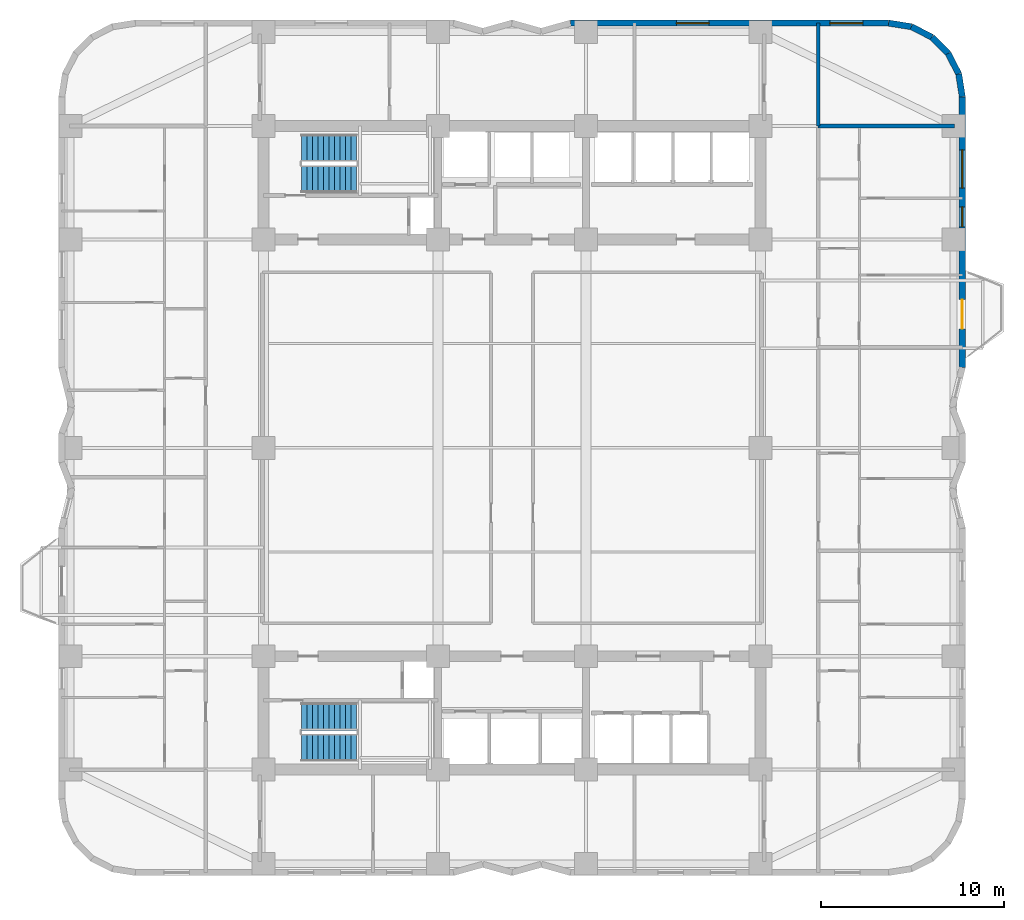
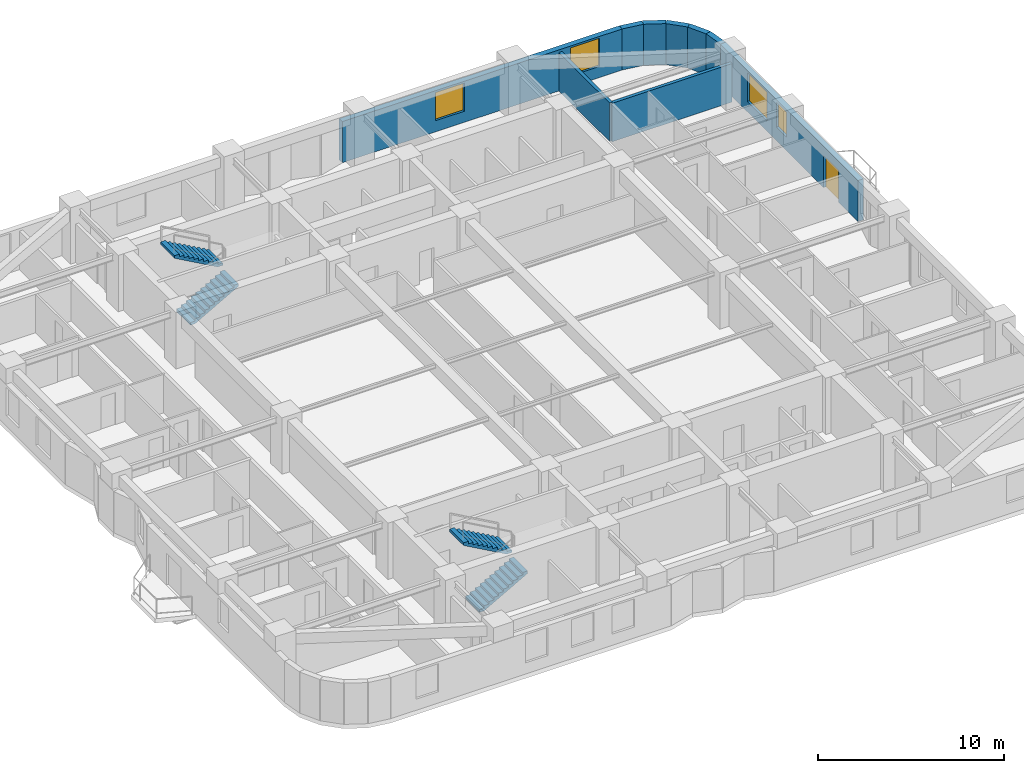
# One storey, part 7 of 9: 9 walls, 4 stair flights, 4 windows, 1 door, 5 openings, 2 elements without a shape of their own.
"""IFC4 building model written with IfcOpenShell, lengths in metres."""

from ifc_helpers import new_model, si_unit, direction, frame, frame_2d, origin, place, context, subcontext, project, spatial, polyline, rectangle, outline, extrude, material, layer, layer_set, type_object, element, fill, aggregate, save


model = new_model("IFC4")

# Units and contexts
model_context = context("Model", 3, precision=1e-05, world=origin(), true_north=direction((0.0, 1.0)))
body_context = subcontext(model_context, "Body", "Model", "MODEL_VIEW")
ifc_project = project(units=[si_unit("LENGTHUNIT", "METRE"), si_unit("AREAUNIT", "SQUARE_METRE"), si_unit("VOLUMEUNIT", "CUBIC_METRE"), si_unit("PLANEANGLEUNIT", "RADIAN"), si_unit("MASSUNIT", "GRAM", prefix="KILO")], contexts=[model_context])

# Site, building, storey
site_placement = place(None, origin())
site = spatial("IfcSite", under=ifc_project, at=site_placement, CompositionType="ELEMENT")
building_placement = place(site_placement, origin())
building = spatial("IfcBuilding", under=site, at=building_placement, Name="Svetorya Sky Lyceum", CompositionType="ELEMENT")
storey_placement = place(building_placement, frame((0.0, 0.0, 32.5)))
storey = spatial("IfcBuildingStorey", under=building, at=storey_placement, Name="L07", CompositionType="ELEMENT", Elevation=32.5)

# Wall, openings, door, windows
ifc_material_1 = material(Name="Putilovo limestone rainscreen on autoclaved cellular masonry", Category="masonry")
ifc_layer_1 = layer(ifc_material_1, 0.340087890625)
ifc_layer_set_1 = layer_set([ifc_layer_1], Name="Putilovo limestone rainscreen on autoclaved cellular masonry")
wall_type_1 = type_object("IfcWallType", Name="WL-EXT-340", PredefinedType="SOLIDWALL", material=ifc_layer_set_1)
wall_1_placement = place(storey_placement, frame((63.830078125, 32.60009765625, 0.0), z_axis=(0.0, 0.0, 1.0), x_axis=(0.0, 1.0, 0.0)))
wall_1 = element("IfcWall", 1, at=wall_1_placement, inside=storey, type_object=wall_type_1, Name="L07 Limestone Exterior Wall 23M", PredefinedType="SOLIDWALL", context=body_context, shape_type="SweptSolid", body=[
    extrude(rectangle(XDim=14.7998046875, YDim=0.340087890625, at=frame_2d((7.39990234375, 0.0))), origin(), (0.0, 0.0, 1.0), 2.699951171875),
])
opening_1_placement = place(wall_1_placement, frame((2.10009765625, 0.0, 0.0)))
opening_1 = element("IfcOpeningElement", 2, at=opening_1_placement, cuts=wall_1, Name="Opening D-BL1", PredefinedType="OPENING", context=body_context, shape_type="SweptSolid", body=[
    extrude(rectangle(XDim=1.60009765625, YDim=2.10009765625, at=frame_2d((0.800048828125, 1.050048828125))), frame((0.0, 0.179931640625, 0.0), z_axis=(0.0, -1.0, 0.0), x_axis=(1.0, 0.0, 0.0)), (0.0, 0.0, 1.0), 0.360107421875),
])
opening_2_placement = place(wall_1_placement, frame((7.679931640625, 0.0, 0.889892578125)))
opening_2 = element("IfcOpeningElement", 3, at=opening_2_placement, cuts=wall_1, Name="Opening W-R3", PredefinedType="OPENING", context=body_context, shape_type="SweptSolid", body=[
    extrude(rectangle(XDim=1.10009765625, YDim=1.64990234375, at=frame_2d((0.550048828125, 0.824951171875))), frame((0.0, 0.179931640625, 0.0), z_axis=(0.0, -1.0, 0.0), x_axis=(1.0, 0.0, 0.0)), (0.0, 0.0, 1.0), 0.360107421875),
])
opening_3_placement = place(wall_1_placement, frame((9.800048828125, 0.0, 0.679931640625)))
opening_3 = element("IfcOpeningElement", 4, at=opening_3_placement, cuts=wall_1, Name="Opening W-R0", PredefinedType="OPENING", context=body_context, shape_type="SweptSolid", body=[
    extrude(rectangle(XDim=2.10009765625, YDim=1.89990234375, at=frame_2d((1.050048828125, 0.949951171875))), frame((0.0, 0.179931640625, 0.0), z_axis=(0.0, -1.0, 0.0), x_axis=(1.0, 0.0, 0.0)), (0.0, 0.0, 1.0), 0.360107421875),
])
ifc_material_2 = material(Name="Insulated glazed aluminium balcony door", Category="aluminium")
door_type = type_object("IfcDoorType", Name="DR-BAL-1600", OperationType="DOUBLE_DOOR_SINGLE_SWING", PredefinedType="DOOR", material=ifc_material_2)
door_placement = place(opening_1_placement, origin())
door = element("IfcDoor", 5, at=door_placement, inside=storey, type_object=door_type, Name="L07 Balcony BAL-E1 Door", OperationType="DOUBLE_DOOR_SINGLE_SWING", OverallHeight=2.10009765625, OverallWidth=1.60009765625, PredefinedType="DOOR", context=body_context, shape_type="SweptSolid", body=[
    extrude(rectangle(XDim=1.60009765625, YDim=2.10009765625, at=frame_2d((0.800048828125, 1.050048828125))), frame((0.0, 0.02490234375, 0.0), z_axis=(0.0, -1.0, 0.0), x_axis=(1.0, 0.0, 0.0)), (0.0, 0.0, 1.0), 0.050048828125),
])
fill(opening_1, door)
ifc_material_3 = material(Name="Thermally broken aluminium frame with triple low-E glazing", Category="aluminium")
window_type_1 = type_object("IfcWindowType", Name="WN-RES-110", PartitioningType="SINGLE_PANEL", PredefinedType="WINDOW", material=ifc_material_3)
window_1_placement = place(opening_2_placement, origin())
window_1 = element("IfcWindow", 6, at=window_1_placement, inside=storey, type_object=window_type_1, Name="L07 Facade Window W-R3.23M.2", OverallHeight=1.64990234375, OverallWidth=1.10009765625, PartitioningType="SINGLE_PANEL", PredefinedType="WINDOW", context=body_context, shape_type="SweptSolid", body=[
    extrude(rectangle(XDim=1.10009765625, YDim=1.64990234375, at=frame_2d((0.550048828125, 0.824951171875))), frame((0.0, 0.030029296875, 0.0), z_axis=(0.0, -1.0, 0.0), x_axis=(1.0, 0.0, 0.0)), (0.0, 0.0, 1.0), 0.06005859375),
])
fill(opening_2, window_1)
window_type_2 = type_object("IfcWindowType", Name="WN-RES-210", PartitioningType="TRIPLE_PANEL_VERTICAL", PredefinedType="WINDOW", material=ifc_material_3)
window_2_placement = place(opening_3_placement, origin())
window_2 = element("IfcWindow", 7, at=window_2_placement, inside=storey, type_object=window_type_2, Name="L07 Facade Window W-R0.23M.1", OverallHeight=1.89990234375, OverallWidth=2.10009765625, PartitioningType="SINGLE_PANEL", PredefinedType="WINDOW", context=body_context, shape_type="SweptSolid", body=[
    extrude(rectangle(XDim=2.10009765625, YDim=1.89990234375, at=frame_2d((1.050048828125, 0.949951171875))), frame((0.0, 0.030029296875, 0.0), z_axis=(0.0, -1.0, 0.0), x_axis=(1.0, 0.0, 0.0)), (0.0, 0.0, 1.0), 0.06005859375),
])
fill(opening_3, window_2)

# Walls
for number, where, z_axis, x_axis, name in (
    (8, (63.830078125, 47.39990234375, 0.0), (0.0, 0.0, 1.0), (-0.15644975923, 0.987685918112, 0.0), "L07 Limestone Exterior Wall 24M"),
    (9, (63.6328125, 48.645263671875, 0.0), (0.0, 0.0, 1.0), (-0.454015689056, 0.890993689142, 0.0), "L07 Limestone Exterior Wall 25M"),
    (10, (63.060302734375, 49.768798828125, 0.0), (0.0, 0.0, 1.0), (-0.707106781187, 0.707106781187, 0.0), "L07 Limestone Exterior Wall 26M"),
):
    element("IfcWall", number, at=place(storey_placement, frame(where, z_axis=z_axis, x_axis=x_axis)), inside=storey, type_object=wall_type_1, Name=name, PredefinedType="SOLIDWALL", context=body_context, shape_type="SweptSolid", body=[
        extrude(rectangle(XDim=1.260986328125, YDim=0.340087890625, at=frame_2d((0.63037109375, 0.0))), origin(), (0.0, 0.0, 1.0), 2.699951171875),
    ])
for number, where, z_axis, x_axis, name in (
    (11, (62.168701171875, 50.660400390625, 0.0), (0.0, 0.0, 1.0), (-0.890953769915, 0.454094020963, 0.0), "L07 Limestone Exterior Wall 27M"),
    (12, (61.04541015625, 51.23291015625, 0.0), (0.0, 0.0, 1.0), (-0.98771582066, 0.156260864002, 0.0), "L07 Limestone Exterior Wall 28M"),
):
    element("IfcWall", number, at=place(storey_placement, frame(where, z_axis=z_axis, x_axis=x_axis)), inside=storey, type_object=wall_type_1, Name=name, PredefinedType="SOLIDWALL", context=body_context, shape_type="SweptSolid", body=[
        extrude(rectangle(XDim=1.2607421875, YDim=0.340087890625, at=frame_2d((0.63037109375, 0.0))), origin(), (0.0, 0.0, 1.0), 2.699951171875),
    ])

# Wall, openings, windows
wall_2_placement = place(storey_placement, frame((59.800048828125, 51.429931640625, 0.0), z_axis=(0.0, 0.0, 1.0), x_axis=(-1.0, 0.0, 0.0)))
wall_2 = element("IfcWall", 13, at=wall_2_placement, inside=storey, type_object=wall_type_1, Name="L07 Limestone Exterior Wall 29M", PredefinedType="SOLIDWALL", context=body_context, shape_type="SweptSolid", body=[
    extrude(rectangle(XDim=17.400146484375, YDim=0.340087890625, at=frame_2d((8.7001953125, 0.0))), origin(), (0.0, 0.0, 1.0), 2.699951171875),
])
opening_4_placement = place(wall_2_placement, frame((1.41259765625, 0.0, 0.72998046875)))
opening_4 = element("IfcOpeningElement", 14, at=opening_4_placement, cuts=wall_2, Name="Opening W-R1", PredefinedType="OPENING", context=body_context, shape_type="SweptSolid", body=[
    extrude(rectangle(XDim=1.800048828125, YDim=1.85009765625, at=frame_2d((0.89990234375, 0.925048828125))), frame((0.0, 0.179931640625, 0.0), z_axis=(0.0, -1.0, 0.0), x_axis=(1.0, 0.0, 0.0)), (0.0, 0.0, 1.0), 0.360107421875),
])
opening_5_placement = place(wall_2_placement, frame((9.8125, 0.0, 0.72998046875)))
opening_5 = element("IfcOpeningElement", 15, at=opening_5_placement, cuts=wall_2, Name="Opening W-R1", PredefinedType="OPENING", context=body_context, shape_type="SweptSolid", body=[
    extrude(rectangle(XDim=1.800048828125, YDim=1.85009765625, at=frame_2d((0.89990234375, 0.925048828125))), frame((0.0, 0.179931640625, 0.0), z_axis=(0.0, -1.0, 0.0), x_axis=(1.0, 0.0, 0.0)), (0.0, 0.0, 1.0), 0.360107421875),
])
window_type_3 = type_object("IfcWindowType", Name="WN-RES-180", PartitioningType="DOUBLE_PANEL_VERTICAL", PredefinedType="WINDOW", material=ifc_material_3)
window_3_placement = place(opening_4_placement, origin())
window_3 = element("IfcWindow", 16, at=window_3_placement, inside=storey, type_object=window_type_3, Name="L07 Facade Window W-R1.29M.1", OverallHeight=1.85009765625, OverallWidth=1.800048828125, PartitioningType="SINGLE_PANEL", PredefinedType="WINDOW", context=body_context, shape_type="SweptSolid", body=[
    extrude(rectangle(XDim=1.800048828125, YDim=1.85009765625, at=frame_2d((0.89990234375, 0.925048828125))), frame((0.0, 0.030029296875, 0.0), z_axis=(0.0, -1.0, 0.0), x_axis=(1.0, 0.0, 0.0)), (0.0, 0.0, 1.0), 0.06005859375),
])
fill(opening_4, window_3)
window_4_placement = place(opening_5_placement, origin())
window_4 = element("IfcWindow", 17, at=window_4_placement, inside=storey, type_object=window_type_3, Name="L07 Facade Window W-R1.29M.2", OverallHeight=1.85009765625, OverallWidth=1.800048828125, PartitioningType="SINGLE_PANEL", PredefinedType="WINDOW", context=body_context, shape_type="SweptSolid", body=[
    extrude(rectangle(XDim=1.800048828125, YDim=1.85009765625, at=frame_2d((0.89990234375, 0.925048828125))), frame((0.0, 0.030029296875, 0.0), z_axis=(0.0, -1.0, 0.0), x_axis=(1.0, 0.0, 0.0)), (0.0, 0.0, 1.0), 0.06005859375),
])
fill(opening_5, window_4)

# Walls
ifc_material_4 = material(Name="Autoclaved cellular masonry blockwork with gypsum plaster", Category="masonry")
ifc_layer_2 = layer(ifc_material_4, 0.199951171875)
ifc_layer_set_2 = layer_set([ifc_layer_2], Name="Autoclaved cellular masonry blockwork with gypsum plaster")
wall_type_2 = type_object("IfcWallType", Name="WL-PART-200", PredefinedType="PARTITIONING", material=ifc_layer_set_2)
wall_3_placement = place(storey_placement, frame((55.949951171875, 45.800048828125, 0.0), z_axis=(0.0, 0.0, 1.0), x_axis=(1.0, 0.0, 0.0)))
element("IfcWall", 18, at=wall_3_placement, inside=storey, type_object=wall_type_2, Name="L07 Interior Partition E-CAP-N", PredefinedType="PARTITIONING", context=body_context, shape_type="SweptSolid", body=[
    extrude(rectangle(XDim=7.4599609375, YDim=0.199951171875, at=frame_2d((3.72998046875, 0.0))), origin(), (0.0, 0.0, 1.0), 2.530029296875),
])
wall_4_placement = place(storey_placement, frame((55.949951171875, 45.800048828125, 0.0), z_axis=(0.0, 0.0, 1.0), x_axis=(0.0, 1.0, 0.0)))
element("IfcWall", 19, at=wall_4_placement, inside=storey, type_object=wall_type_2, Name="L07 Interior Partition EC-NE-END", PredefinedType="PARTITIONING", context=body_context, shape_type="SweptSolid", body=[
    extrude(rectangle(XDim=5.6298828125, YDim=0.199951171875, at=frame_2d((2.81494140625, 0.0))), origin(), (0.0, 0.0, 1.0), 2.530029296875),
])

# Stair, stair flights
ifc_material_5 = material(Name="Concrete C40/50", Category="concrete")
stair_type_1 = type_object("IfcStairType", Name="STR-ST-N", PredefinedType="HALF_TURN_STAIR", material=ifc_material_5)
stair_1_placement = place(storey_placement, origin())
stair_1 = element("IfcStair", 20, at=stair_1_placement, inside=storey, type_object=stair_type_1, Name="L07 North Core Smoke-Free Exit Stair N3", PredefinedType="HALF_TURN_STAIR")
stair_flight_type_1 = type_object("IfcStairFlightType", Name="SFL-ST-N", PredefinedType="STRAIGHT", material=ifc_material_5)
stair_flight_1_placement = place(storey_placement, frame((27.699951171875, 42.89990234375, 0.0), z_axis=(0.0, 0.0, 1.0), x_axis=(1.0, 0.0, 0.0)))
stair_flight_1 = element("IfcStairFlight", 21, at=stair_flight_1_placement, type_object=stair_flight_type_1, Name="ST-N flight 1", NumberOfRisers=11, NumberOfTreads=10, PredefinedType="STRAIGHT", RiserHeight=0.168181818, TreadLength=0.3, context=body_context, shape_type="SweptSolid", body=[
    extrude(outline(polyline([(0.0, 0.0), (0.0, 0.168212890625), (0.300048828125, 0.168212890625), (0.300048828125, 0.33642578125), (0.60009765625, 0.33642578125), (0.60009765625, 0.504638671875), (0.89990234375, 0.504638671875), (0.89990234375, 0.672607421875), (1.199951171875, 0.672607421875), (1.199951171875, 0.8408203125), (1.5, 0.8408203125), (1.5, 1.009033203125), (1.800048828125, 1.009033203125), (1.800048828125, 1.17724609375), (2.10009765625, 1.17724609375), (2.10009765625, 1.345458984375), (2.39990234375, 1.345458984375), (2.39990234375, 1.513671875), (2.699951171875, 1.513671875), (2.699951171875, 1.681884765625), (3.0, 1.681884765625), (3.0, 1.85009765625), (3.0, 1.510009765625), (0.306640625, 0.0), (0.0, 0.0)])), frame((0.0, 0.75, 0.0), z_axis=(0.0, -1.0, 0.0), x_axis=(1.0, 0.0, 0.0)), (0.0, 0.0, 1.0), 1.5),
])
stair_flight_2_placement = place(storey_placement, frame((30.699951171875, 44.60009765625, 1.85009765625), z_axis=(0.0, 0.0, 1.0), x_axis=(-1.0, 0.0, 0.0)))
stair_flight_2 = element("IfcStairFlight", 22, at=stair_flight_2_placement, type_object=stair_flight_type_1, Name="ST-N flight 2", NumberOfRisers=11, NumberOfTreads=10, PredefinedType="STRAIGHT", RiserHeight=0.168181818, TreadLength=0.3, context=body_context, shape_type="SweptSolid", body=[
    extrude(outline(polyline([(0.0, 0.0), (0.0, 0.168212890625), (0.300048828125, 0.168212890625), (0.300048828125, 0.33642578125), (0.60009765625, 0.33642578125), (0.60009765625, 0.504638671875), (0.89990234375, 0.504638671875), (0.89990234375, 0.672607421875), (1.199951171875, 0.672607421875), (1.199951171875, 0.8408203125), (1.5, 0.8408203125), (1.5, 1.009033203125), (1.800048828125, 1.009033203125), (1.800048828125, 1.17724609375), (2.10009765625, 1.17724609375), (2.10009765625, 1.345458984375), (2.39990234375, 1.345458984375), (2.39990234375, 1.513671875), (2.699951171875, 1.513671875), (2.699951171875, 1.681884765625), (3.0, 1.681884765625), (3.0, 1.85009765625), (3.0, 1.510009765625), (0.306640625, 0.0), (0.0, 0.0)])), frame((0.0, 0.75, 0.0), z_axis=(0.0, -1.0, 0.0), x_axis=(1.0, 0.0, 0.0)), (0.0, 0.0, 1.0), 1.5),
])
aggregate(stair_1, [stair_flight_1, stair_flight_2])

stair_type_2 = type_object("IfcStairType", Name="STR-ST-S", PredefinedType="HALF_TURN_STAIR", material=ifc_material_5)
stair_2_placement = place(storey_placement, origin())
stair_2 = element("IfcStair", 23, at=stair_2_placement, inside=storey, type_object=stair_type_2, Name="L07 South Core Smoke-Free Exit Stair N2", PredefinedType="HALF_TURN_STAIR")
stair_flight_type_2 = type_object("IfcStairFlightType", Name="SFL-ST-S", PredefinedType="STRAIGHT", material=ifc_material_5)
stair_flight_3_placement = place(storey_placement, frame((27.699951171875, 11.800048828125, 0.0), z_axis=(0.0, 0.0, 1.0), x_axis=(1.0, 0.0, 0.0)))
stair_flight_3 = element("IfcStairFlight", 24, at=stair_flight_3_placement, type_object=stair_flight_type_2, Name="ST-S flight 1", NumberOfRisers=11, NumberOfTreads=10, PredefinedType="STRAIGHT", RiserHeight=0.168181818, TreadLength=0.3, context=body_context, shape_type="SweptSolid", body=[
    extrude(outline(polyline([(0.0, 0.0), (0.0, 0.168212890625), (0.300048828125, 0.168212890625), (0.300048828125, 0.33642578125), (0.60009765625, 0.33642578125), (0.60009765625, 0.504638671875), (0.89990234375, 0.504638671875), (0.89990234375, 0.672607421875), (1.199951171875, 0.672607421875), (1.199951171875, 0.8408203125), (1.5, 0.8408203125), (1.5, 1.009033203125), (1.800048828125, 1.009033203125), (1.800048828125, 1.17724609375), (2.10009765625, 1.17724609375), (2.10009765625, 1.345458984375), (2.39990234375, 1.345458984375), (2.39990234375, 1.513671875), (2.699951171875, 1.513671875), (2.699951171875, 1.681884765625), (3.0, 1.681884765625), (3.0, 1.85009765625), (3.0, 1.510009765625), (0.306640625, 0.0), (0.0, 0.0)])), frame((0.0, 0.75, 0.0), z_axis=(0.0, -1.0, 0.0), x_axis=(1.0, 0.0, 0.0)), (0.0, 0.0, 1.0), 1.5),
])
stair_flight_4_placement = place(storey_placement, frame((30.699951171875, 13.5, 1.85009765625), z_axis=(0.0, 0.0, 1.0), x_axis=(-1.0, 0.0, 0.0)))
stair_flight_4 = element("IfcStairFlight", 25, at=stair_flight_4_placement, type_object=stair_flight_type_2, Name="ST-S flight 2", NumberOfRisers=11, NumberOfTreads=10, PredefinedType="STRAIGHT", RiserHeight=0.168181818, TreadLength=0.3, context=body_context, shape_type="SweptSolid", body=[
    extrude(outline(polyline([(0.0, 0.0), (0.0, 0.168212890625), (0.300048828125, 0.168212890625), (0.300048828125, 0.33642578125), (0.60009765625, 0.33642578125), (0.60009765625, 0.504638671875), (0.89990234375, 0.504638671875), (0.89990234375, 0.672607421875), (1.199951171875, 0.672607421875), (1.199951171875, 0.8408203125), (1.5, 0.8408203125), (1.5, 1.009033203125), (1.800048828125, 1.009033203125), (1.800048828125, 1.17724609375), (2.10009765625, 1.17724609375), (2.10009765625, 1.345458984375), (2.39990234375, 1.345458984375), (2.39990234375, 1.513671875), (2.699951171875, 1.513671875), (2.699951171875, 1.681884765625), (3.0, 1.681884765625), (3.0, 1.85009765625), (3.0, 1.510009765625), (0.306640625, 0.0), (0.0, 0.0)])), frame((0.0, 0.75, 0.0), z_axis=(0.0, -1.0, 0.0), x_axis=(1.0, 0.0, 0.0)), (0.0, 0.0, 1.0), 1.5),
])
aggregate(stair_2, [stair_flight_3, stair_flight_4])

save(model, "model.ifc")
